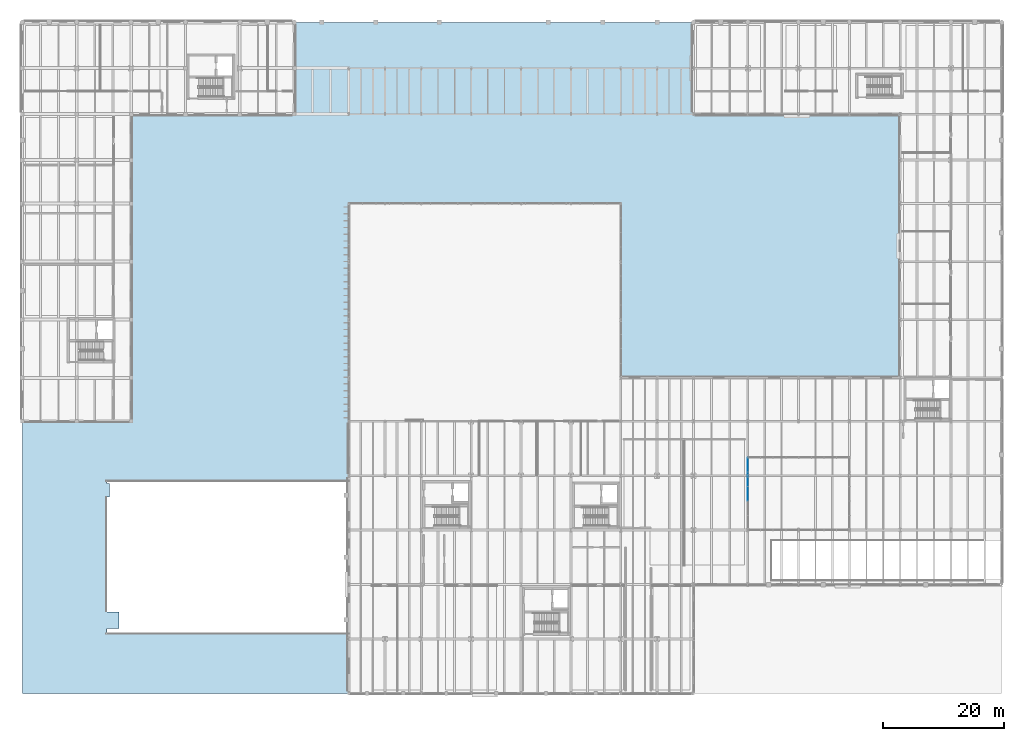
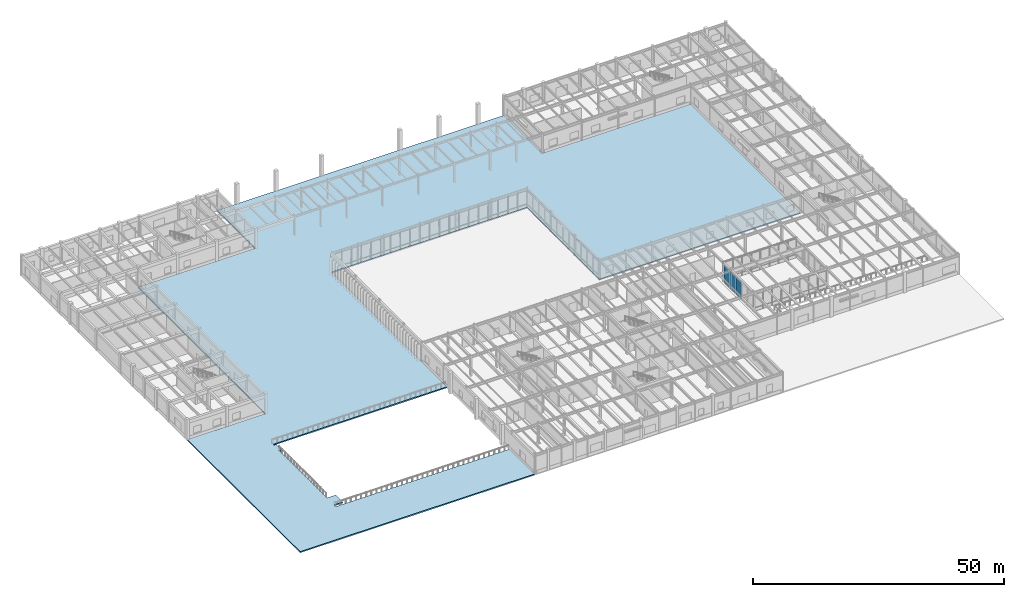
# One storey, part 33 of 64: 6 plates, 1 slab, 1 element without a shape of its own.
"""IFC4 building model written with IfcOpenShell, lengths in metres."""

from ifc_helpers import new_model, si_unit, direction, frame, origin, origin_2d, place, context, subcontext, project, spatial, polyline, rectangle, outline, extrude, material, layer, layer_set, type_object, element, aggregate, save


model = new_model("IFC4")

# Units and contexts
model_context = context("Model", 3, precision=1e-05, world=origin(), true_north=direction((0.0, 1.0)))
body_context = subcontext(model_context, "Body", "Model", "MODEL_VIEW")
ifc_project = project(units=[si_unit("LENGTHUNIT", "METRE"), si_unit("AREAUNIT", "SQUARE_METRE"), si_unit("VOLUMEUNIT", "CUBIC_METRE"), si_unit("PLANEANGLEUNIT", "RADIAN"), si_unit("MASSUNIT", "GRAM", prefix="KILO")], contexts=[model_context])

# Site, building, storey
site_placement = place(None, origin())
site = spatial("IfcSite", under=ifc_project, at=site_placement, CompositionType="ELEMENT")
building_placement = place(site_placement, origin())
building = spatial("IfcBuilding", under=site, at=building_placement, Name="Montealbar Specialist Clinic", CompositionType="ELEMENT")
storey_placement = place(building_placement, origin())
storey = spatial("IfcBuildingStorey", under=building, at=storey_placement, Name="L00", CompositionType="ELEMENT", Elevation=0.0)

# Curtain wall, plates
ifc_material_1 = material(Name="Low-E double glazing", Category="glass")
ifc_layer_1 = layer(ifc_material_1, 0.199951171875, Name="Low-E double glazing", Category="glass")
ifc_layer_set_1 = layer_set([ifc_layer_1], Name="Low-E double glazing")
curtain_wall_type = type_object("IfcCurtainWallType", Name="CW-TYPE-04", PredefinedType="NOTDEFINED", material=ifc_layer_set_1)
curtain_wall_placement = place(storey_placement, origin())
curtain_wall = element("IfcCurtainWall", 1, at=curtain_wall_placement, inside=storey, type_object=curtain_wall_type, Name="Unitised Curtain Wall CW-L00-1200-390-1200-270-0", PredefinedType="NOTDEFINED")
ifc_layer_2 = layer(ifc_material_1, 0.028076171875, Name="Low-E double glazing", Category="glass")
ifc_layer_set_2 = layer_set([ifc_layer_2], Name="Low-E double glazing")
plate_type = type_object("IfcPlateType", Name="CW-PNL-IGU28", PredefinedType="CURTAIN_PANEL", material=ifc_layer_set_2)
plate_1_placement = place(storey_placement, frame((120.0, 37.800048828125, 0.070068359375), z_axis=(0.0, 0.0, 1.0), x_axis=(0.0, -1.0, 0.0)))
plate_1 = element("IfcPlate", 2, at=plate_1_placement, type_object=plate_type, Name="Glazed Curtain Panel CW-L00-1200-390-1200-270-0-1-1", PredefinedType="CURTAIN_PANEL", context=body_context, shape_type="SweptSolid", body=[
    extrude(rectangle(XDim=2.303955078125, YDim=0.028076171875, at=origin_2d()), origin(), (0.0, 0.0, 1.0), 0.85009765625),
])
plate_2_placement = place(storey_placement, frame((120.0, 37.800048828125, 0.97998046875), z_axis=(0.0, 0.0, 1.0), x_axis=(0.0, -1.0, 0.0)))
plate_2 = element("IfcPlate", 3, at=plate_2_placement, type_object=plate_type, Name="Glazed Curtain Panel CW-L00-1200-390-1200-270-0-1-2", PredefinedType="CURTAIN_PANEL", context=body_context, shape_type="SweptSolid", body=[
    extrude(rectangle(XDim=2.303955078125, YDim=0.028076171875, at=origin_2d()), origin(), (0.0, 0.0, 1.0), 3.260009765625),
])
plate_3_placement = place(storey_placement, frame((120.0, 35.39990234375, 0.070068359375), z_axis=(0.0, 0.0, 1.0), x_axis=(0.0, -1.0, 0.0)))
plate_3 = element("IfcPlate", 4, at=plate_3_placement, type_object=plate_type, Name="Glazed Curtain Panel CW-L00-1200-390-1200-270-0-2-1", PredefinedType="CURTAIN_PANEL", context=body_context, shape_type="SweptSolid", body=[
    extrude(rectangle(XDim=2.303955078125, YDim=0.028076171875, at=origin_2d()), origin(), (0.0, 0.0, 1.0), 0.85009765625),
])
plate_4_placement = place(storey_placement, frame((120.0, 35.39990234375, 0.97998046875), z_axis=(0.0, 0.0, 1.0), x_axis=(0.0, -1.0, 0.0)))
plate_4 = element("IfcPlate", 5, at=plate_4_placement, type_object=plate_type, Name="Glazed Curtain Panel CW-L00-1200-390-1200-270-0-2-2", PredefinedType="CURTAIN_PANEL", context=body_context, shape_type="SweptSolid", body=[
    extrude(rectangle(XDim=2.303955078125, YDim=0.028076171875, at=origin_2d()), origin(), (0.0, 0.0, 1.0), 3.260009765625),
])
plate_5_placement = place(storey_placement, frame((120.0, 33.0, 0.070068359375), z_axis=(0.0, 0.0, 1.0), x_axis=(0.0, -1.0, 0.0)))
plate_5 = element("IfcPlate", 6, at=plate_5_placement, type_object=plate_type, Name="Glazed Curtain Panel CW-L00-1200-390-1200-270-0-3-1", PredefinedType="CURTAIN_PANEL", context=body_context, shape_type="SweptSolid", body=[
    extrude(rectangle(XDim=2.303955078125, YDim=0.028076171875, at=origin_2d()), origin(), (0.0, 0.0, 1.0), 0.85009765625),
])
plate_6_placement = place(storey_placement, frame((120.0, 33.0, 0.97998046875), z_axis=(0.0, 0.0, 1.0), x_axis=(0.0, -1.0, 0.0)))
plate_6 = element("IfcPlate", 7, at=plate_6_placement, type_object=plate_type, Name="Glazed Curtain Panel CW-L00-1200-390-1200-270-0-3-2", PredefinedType="CURTAIN_PANEL", context=body_context, shape_type="SweptSolid", body=[
    extrude(rectangle(XDim=2.303955078125, YDim=0.028076171875, at=origin_2d()), origin(), (0.0, 0.0, 1.0), 3.260009765625),
])
aggregate(curtain_wall, [plate_1, plate_2, plate_3, plate_4, plate_5, plate_6])

# Slab
ifc_material_2 = material(Name="Concrete C30/37", Category="concrete")
ifc_layer_3 = layer(ifc_material_2, 0.300048828125, Name="Concrete C30/37", Category="concrete")
ifc_layer_set_3 = layer_set([ifc_layer_3], Name="Concrete C30/37")
slab_type = type_object("IfcSlabType", Name="SL-PLAZA-140", PredefinedType="FLOOR", material=ifc_layer_set_3)
slab_placement = place(storey_placement, frame((0.0, 0.0, -0.300048828125)))
element("IfcSlab", 8, at=slab_placement, inside=storey, type_object=slab_type, Name="Exterior Ground Plaza Slab 02", PredefinedType="FLOOR", context=body_context, shape_type="SweptSolid", body=[
    extrude(outline(polyline([(18.0, 45.0), (18.0, 95.800048828125), (45.0, 95.800048828125), (45.0, 111.0), (111.0, 111.0), (111.0, 95.800048828125), (145.199951171875, 95.800048828125), (145.199951171875, 52.199951171875), (99.0, 52.199951171875), (99.0, 81.0), (54.0, 81.0), (54.0, 45.0), (54.0, 36.0), (54.0, 35.0), (14.0, 35.0), (14.0, 34.699951171875), (14.449951171875, 34.699951171875), (14.449951171875, 32.5), (14.0, 32.5), (14.0, 13.5), (16.0, 13.5), (16.0, 10.699951171875), (14.0, 10.699951171875), (14.0, 10.0), (54.0, 10.0), (54.0, 0.0), (0.0, 0.0), (0.0, 45.0), (18.0, 45.0)])), origin(), (0.0, 0.0, 1.0), 0.300048828125),
])

save(model, "model.ifc")
